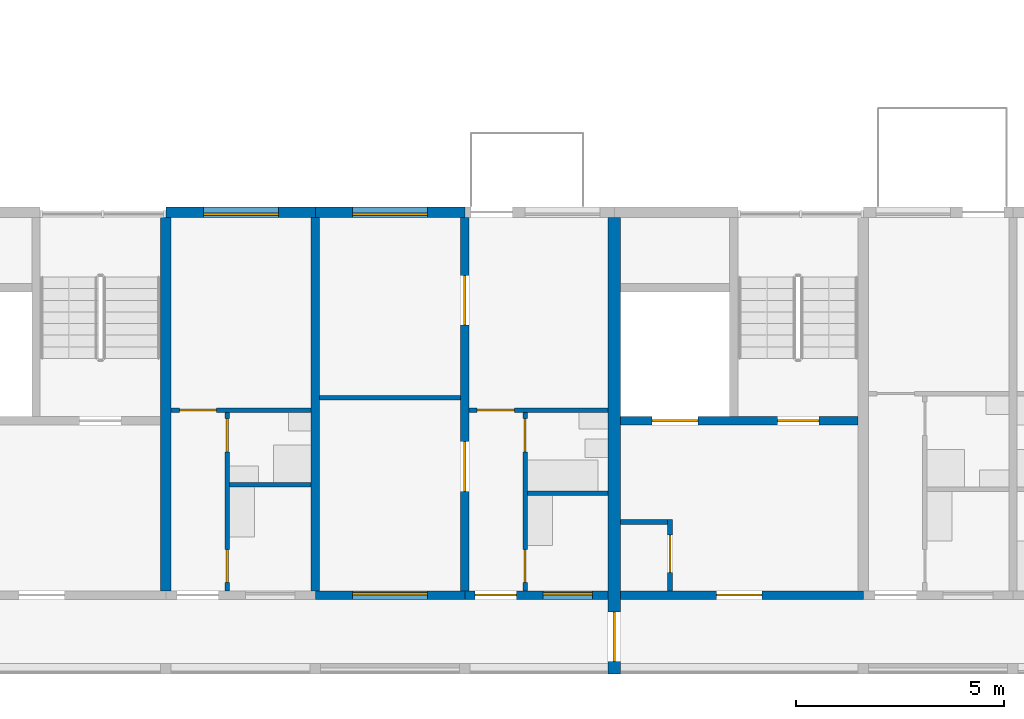
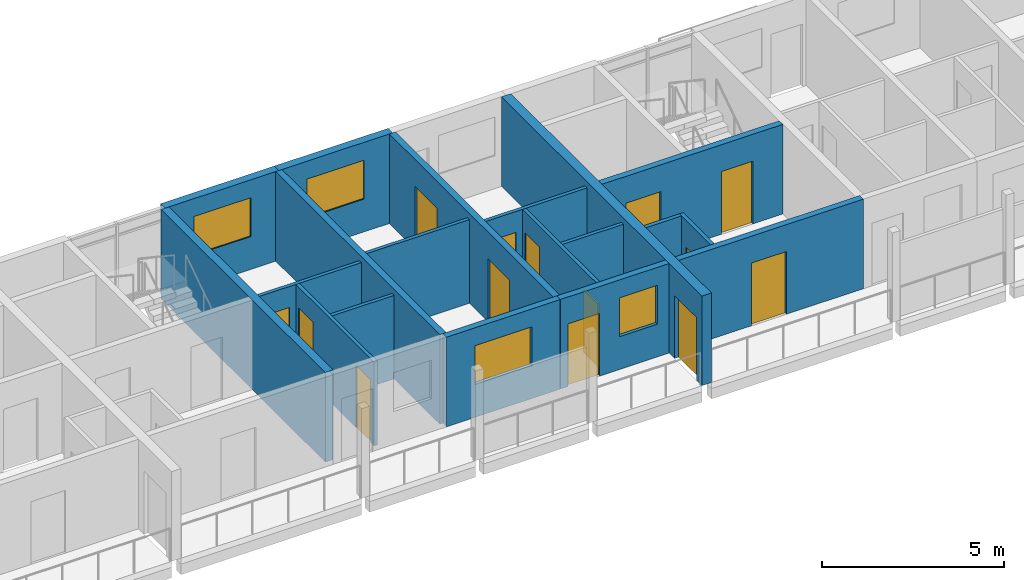
# One storey, part 55 of 87: 19 walls, 14 doors, 4 windows, 18 openings.
"""IFC4 building model written with IfcOpenShell, lengths in metres."""

from ifc_helpers import new_model, si_unit, direction, frame, frame_2d, origin, place, context, subcontext, project, spatial, rectangle, extrude, material, layer, layer_set, type_object, element, fill, save


model = new_model("IFC4")

# Units and contexts
model_context = context("Model", 3, precision=1e-05, world=origin(), true_north=direction((0.0, 1.0)))
body_context = subcontext(model_context, "Body", "Model", "MODEL_VIEW")
ifc_project = project(units=[si_unit("LENGTHUNIT", "METRE"), si_unit("AREAUNIT", "SQUARE_METRE"), si_unit("VOLUMEUNIT", "CUBIC_METRE"), si_unit("PLANEANGLEUNIT", "RADIAN"), si_unit("MASSUNIT", "GRAM", prefix="KILO")], contexts=[model_context])

# Site, building, storey
site_placement = place(None, origin())
site = spatial("IfcSite", under=ifc_project, at=site_placement, CompositionType="ELEMENT")
building_placement = place(site_placement, origin())
building = spatial("IfcBuilding", under=site, at=building_placement, Name="Ridgestep Commons", CompositionType="ELEMENT")
storey_placement = place(building_placement, frame((0.0, 0.0, 27.0)))
storey = spatial("IfcBuildingStorey", under=building, at=storey_placement, Name="L09", CompositionType="ELEMENT", Elevation=27.0)

# Wall
ifc_material_1 = material(Name="Concrete C30/37", Category="concrete")
ifc_layer_1 = layer(ifc_material_1, 0.25)
ifc_layer_set_1 = layer_set([ifc_layer_1], Name="Core cross wall 250")
wall_type_1 = type_object("IfcWallType", Name="Core cross wall 250", PredefinedType="SHEAR", material=ifc_layer_set_1)
wall_1_placement = place(storey_placement, frame((220.0, 13.75, 0.0), z_axis=(0.0, 0.0, 1.0), x_axis=(0.0, 1.0, 0.0)))
element("IfcWall", 1, at=wall_1_placement, inside=storey, type_object=wall_type_1, Name="Cross wall D-09-2200", PredefinedType="SHEAR", context=body_context, shape_type="SweptSolid", body=[
    extrude(rectangle(XDim=9.0, YDim=0.25, at=frame_2d((4.5, 0.0))), origin(), (0.0, 0.0, 1.0), 3.0),
])

# Wall, opening, door
ifc_material_2 = material(Name="Concrete C30/37", Category="concrete")
ifc_layer_2 = layer(ifc_material_2, 0.199951171875)
ifc_layer_set_2 = layer_set([ifc_layer_2], Name="Core south wall 200")
wall_type_2 = type_object("IfcWallType", Name="Core south wall 200", PredefinedType="SHEAR", material=ifc_layer_set_2)
wall_2_placement = place(storey_placement, frame((230.949951171875, 13.64990234375, 0.0), z_axis=(0.0, 0.0, 1.0), x_axis=(1.0, 0.0, 0.0)))
wall_2 = element("IfcWall", 2, at=wall_2_placement, inside=storey, type_object=wall_type_2, Name="Core south wall D6C L09", PredefinedType="SHEAR", context=body_context, shape_type="SweptSolid", body=[
    extrude(rectangle(XDim=5.85009765625, YDim=0.199951171875, at=frame_2d((2.925048828125, 0.0))), origin(), (0.0, 0.0, 1.0), 3.0),
])
opening_1_placement = place(wall_2_placement, frame((2.3125, 0.0, 0.0)))
opening_1 = element("IfcOpeningElement", 3, at=opening_1_placement, cuts=wall_2, Name="Opening D6C/09/1", PredefinedType="OPENING", context=body_context, shape_type="SweptSolid", body=[
    extrude(rectangle(XDim=1.10009765625, YDim=2.10009765625, at=frame_2d((0.550048828125, 1.050048828125))), frame((0.0, 0.10986328125, 0.0), z_axis=(0.0, -1.0, 0.0), x_axis=(1.0, 0.0, 0.0)), (0.0, 0.0, 1.0), 0.219970703125),
])
ifc_material_3 = material(Name="Steel fire door", Category="steel")
door_type_1 = type_object("IfcDoorType", Name="Lobby door 1100 x 2100 FD60", OperationType="NOTDEFINED", PredefinedType="DOOR", material=ifc_material_3)
door_1_placement = place(opening_1_placement, origin())
door_1 = element("IfcDoor", 4, at=door_1_placement, inside=storey, type_object=door_type_1, Name="Lobby door D6C/09/1", OperationType="SINGLE_SWING_LEFT", OverallHeight=2.10009765625, OverallWidth=1.10009765625, PredefinedType="DOOR", context=body_context, shape_type="SweptSolid", body=[
    extrude(rectangle(XDim=1.10009765625, YDim=2.10009765625, at=frame_2d((0.550048828125, 1.050048828125))), frame((0.0, 0.02490234375, 0.0), z_axis=(0.0, -1.0, 0.0), x_axis=(1.0, 0.0, 0.0)), (0.0, 0.0, 1.0), 0.050048828125),
])
fill(opening_1, door_1)

ifc_material_4 = material(Name="Concrete C30/37", Category="concrete")
ifc_layer_3 = layer(ifc_material_4, 0.1201171875)
ifc_layer_set_3 = layer_set([ifc_layer_3], Name="Core wall 120")
wall_type_3 = type_object("IfcWallType", Name="Core wall 120", PredefinedType="SHEAR", material=ifc_layer_set_3)
wall_3_placement = place(storey_placement, frame((232.139892578125, 13.75, 0.0), z_axis=(0.0, 0.0, 1.0), x_axis=(0.0, 1.0, 0.0)))
wall_3 = element("IfcWall", 5, at=wall_3_placement, inside=storey, type_object=wall_type_3, Name="Core riser w wall D6C L09", PredefinedType="SHEAR", context=body_context, shape_type="SweptSolid", body=[
    extrude(rectangle(XDim=1.719970703125, YDim=0.1201171875, at=frame_2d((0.85986328125, 0.0))), origin(), (0.0, 0.0, 1.0), 3.0),
])
opening_2_placement = place(wall_3_placement, frame((0.449951171875, 0.0, 0.0)))
opening_2 = element("IfcOpeningElement", 6, at=opening_2_placement, cuts=wall_3, Name="Opening D6C/09/4", PredefinedType="OPENING", context=body_context, shape_type="SweptSolid", body=[
    extrude(rectangle(XDim=0.89990234375, YDim=2.10009765625, at=frame_2d((0.449951171875, 1.050048828125))), frame((0.0, 0.070068359375, 0.0), z_axis=(0.0, -1.0, 0.0), x_axis=(1.0, 0.0, 0.0)), (0.0, 0.0, 1.0), 0.14013671875),
])
ifc_material_5 = material(Name="Steel fire door", Category="steel")
door_type_2 = type_object("IfcDoorType", Name="Riser door 900 x 2100 FD60", OperationType="NOTDEFINED", PredefinedType="DOOR", material=ifc_material_5)
door_2_placement = place(opening_2_placement, origin())
door_2 = element("IfcDoor", 7, at=door_2_placement, inside=storey, type_object=door_type_2, Name="Riser door D6C/09/4", OperationType="SINGLE_SWING_RIGHT", OverallHeight=2.10009765625, OverallWidth=0.89990234375, PredefinedType="DOOR", context=body_context, shape_type="SweptSolid", body=[
    extrude(rectangle(XDim=0.89990234375, YDim=2.10009765625, at=frame_2d((0.449951171875, 1.050048828125))), frame((0.0, 0.02490234375, 0.0), z_axis=(0.0, -1.0, 0.0), x_axis=(1.0, 0.0, 0.0)), (0.0, 0.0, 1.0), 0.050048828125),
])
fill(opening_2, door_2)

# Wall
wall_4_placement = place(storey_placement, frame((230.949951171875, 15.409912109375, 0.0), z_axis=(0.0, 0.0, 1.0), x_axis=(1.0, 0.0, 0.0)))
element("IfcWall", 8, at=wall_4_placement, inside=storey, type_object=wall_type_3, Name="Core riser n wall D6C L09", PredefinedType="SHEAR", context=body_context, shape_type="SweptSolid", body=[
    extrude(rectangle(XDim=1.130126953125, YDim=0.1201171875, at=frame_2d((0.56494140625, 0.0))), origin(), (0.0, 0.0, 1.0), 3.0),
])

# Wall, openings, doors
ifc_material_6 = material(Name="Concrete C30/37", Category="concrete")
ifc_layer_4 = layer(ifc_material_6, 0.199951171875)
ifc_layer_set_4 = layer_set([ifc_layer_4], Name="Core wall 200")
wall_type_4 = type_object("IfcWallType", Name="Core wall 200", PredefinedType="SHEAR", material=ifc_layer_set_4)
wall_5_placement = place(storey_placement, frame((230.949951171875, 17.85009765625, 0.0), z_axis=(0.0, 0.0, 1.0), x_axis=(1.0, 0.0, 0.0)))
wall_5 = element("IfcWall", 9, at=wall_5_placement, inside=storey, type_object=wall_type_4, Name="Core lobby wall D6C L09", PredefinedType="SHEAR", context=body_context, shape_type="SweptSolid", body=[
    extrude(rectangle(XDim=5.72509765625, YDim=0.199951171875, at=frame_2d((2.862548828125, 0.0))), origin(), (0.0, 0.0, 1.0), 3.0),
])
opening_3_placement = place(wall_5_placement, frame((3.77490234375, 0.0, 0.0)))
opening_3 = element("IfcOpeningElement", 10, at=opening_3_placement, cuts=wall_5, Name="Opening D6C/09/2", PredefinedType="OPENING", context=body_context, shape_type="SweptSolid", body=[
    extrude(rectangle(XDim=1.0, YDim=2.10009765625, at=frame_2d((0.5, 1.050048828125))), frame((0.0, 0.10986328125, 0.0), z_axis=(0.0, -1.0, 0.0), x_axis=(1.0, 0.0, 0.0)), (0.0, 0.0, 1.0), 0.219970703125),
])
opening_4_placement = place(wall_5_placement, frame((0.762451171875, 0.0, 0.0)))
opening_4 = element("IfcOpeningElement", 11, at=opening_4_placement, cuts=wall_5, Name="Opening D6C/09/3", PredefinedType="OPENING", context=body_context, shape_type="SweptSolid", body=[
    extrude(rectangle(XDim=1.10009765625, YDim=2.10009765625, at=frame_2d((0.550048828125, 1.050048828125))), frame((0.0, 0.10986328125, 0.0), z_axis=(0.0, -1.0, 0.0), x_axis=(1.0, 0.0, 0.0)), (0.0, 0.0, 1.0), 0.219970703125),
])
ifc_material_7 = material(Name="Stainless steel", Category="steel")
door_type_3 = type_object("IfcDoorType", Name="Lift landing door 1100 x 2100 FD60", OperationType="DOUBLE_DOOR_SLIDING", PredefinedType="DOOR", material=ifc_material_7)
door_3_placement = place(opening_4_placement, origin())
door_3 = element("IfcDoor", 12, at=door_3_placement, inside=storey, type_object=door_type_3, Name="Landing door LD D6C L09", OperationType="DOUBLE_DOOR_SLIDING", OverallHeight=2.10009765625, OverallWidth=1.10009765625, PredefinedType="DOOR", context=body_context, shape_type="SweptSolid", body=[
    extrude(rectangle(XDim=1.10009765625, YDim=2.10009765625, at=frame_2d((0.550048828125, 1.050048828125))), frame((0.0, 0.02490234375, 0.0), z_axis=(0.0, -1.0, 0.0), x_axis=(1.0, 0.0, 0.0)), (0.0, 0.0, 1.0), 0.050048828125),
])
fill(opening_4, door_3)
ifc_material_8 = material(Name="Steel fire door", Category="steel")
door_type_4 = type_object("IfcDoorType", Name="Stair door 1000 x 2100 FD60", OperationType="NOTDEFINED", PredefinedType="DOOR", material=ifc_material_8)
door_4_placement = place(opening_3_placement, origin())
door_4 = element("IfcDoor", 13, at=door_4_placement, inside=storey, type_object=door_type_4, Name="Stair door D6C/09/2", OperationType="SINGLE_SWING_RIGHT", OverallHeight=2.10009765625, OverallWidth=1.0, PredefinedType="DOOR", context=body_context, shape_type="SweptSolid", body=[
    extrude(rectangle(XDim=1.0, YDim=2.10009765625, at=frame_2d((0.5, 1.050048828125))), frame((0.0, 0.02490234375, 0.0), z_axis=(0.0, -1.0, 0.0), x_axis=(1.0, 0.0, 0.0)), (0.0, 0.0, 1.0), 0.050048828125),
])
fill(opening_3, door_4)

# Wall
ifc_material_9 = material(Name="Precast concrete C40/50", Category="concrete")
ifc_layer_5 = layer(ifc_material_9, 0.199951171875)
ifc_layer_set_5 = layer_set([ifc_layer_5], Name="Cross wall 200")
wall_type_5 = type_object("IfcWallType", Name="Cross wall 200", PredefinedType="SHEAR", material=ifc_layer_set_5)
wall_6_placement = place(storey_placement, frame((223.60009765625, 13.75, 0.0), z_axis=(0.0, 0.0, 1.0), x_axis=(0.0, 1.0, 0.0)))
element("IfcWall", 14, at=wall_6_placement, inside=storey, type_object=wall_type_5, Name="Cross wall D-09-2236", PredefinedType="SHEAR", context=body_context, shape_type="SweptSolid", body=[
    extrude(rectangle(XDim=9.0, YDim=0.199951171875, at=frame_2d((4.5, 0.0))), origin(), (0.0, 0.0, 1.0), 3.0),
])

# Wall, openings, doors
wall_7_placement = place(storey_placement, frame((227.199951171875, 13.75, 0.0), z_axis=(0.0, 0.0, 1.0), x_axis=(0.0, 1.0, 0.0)))
wall_7 = element("IfcWall", 15, at=wall_7_placement, inside=storey, type_object=wall_type_5, Name="Cross wall D-09-2272", PredefinedType="SHEAR", context=body_context, shape_type="SweptSolid", body=[
    extrude(rectangle(XDim=9.0, YDim=0.199951171875, at=frame_2d((4.5, 0.0))), origin(), (0.0, 0.0, 1.0), 3.0),
])
opening_5_placement = place(wall_7_placement, frame((2.39990234375, 0.0, 0.0)))
opening_5 = element("IfcOpeningElement", 16, at=opening_5_placement, cuts=wall_7, Name="Opening D5-09a/5", PredefinedType="OPENING", context=body_context, shape_type="SweptSolid", body=[
    extrude(rectangle(XDim=1.199951171875, YDim=2.10009765625, at=frame_2d((0.60009765625, 1.050048828125))), frame((0.0, 0.10986328125, 0.0), z_axis=(0.0, -1.0, 0.0), x_axis=(1.0, 0.0, 0.0)), (0.0, 0.0, 1.0), 0.219970703125),
])
opening_6_placement = place(wall_7_placement, frame((6.39990234375, 0.0, 0.0)))
opening_6 = element("IfcOpeningElement", 17, at=opening_6_placement, cuts=wall_7, Name="Opening D5-09a/6", PredefinedType="OPENING", context=body_context, shape_type="SweptSolid", body=[
    extrude(rectangle(XDim=1.199951171875, YDim=2.10009765625, at=frame_2d((0.60009765625, 1.050048828125))), frame((0.0, 0.10986328125, 0.0), z_axis=(0.0, -1.0, 0.0), x_axis=(1.0, 0.0, 0.0)), (0.0, 0.0, 1.0), 0.219970703125),
])
ifc_material_10 = material(Name="Timber door leaf", Category="wood")
door_type_5 = type_object("IfcDoorType", Name="Double door 1200 x 2100", OperationType="DOUBLE_DOOR_SINGLE_SWING", PredefinedType="DOOR", material=ifc_material_10)
door_5_placement = place(opening_5_placement, origin())
door_5 = element("IfcDoor", 18, at=door_5_placement, inside=storey, type_object=door_type_5, Name="Double door D5-09a/5", OperationType="DOUBLE_DOOR_SINGLE_SWING", OverallHeight=2.10009765625, OverallWidth=1.199951171875, PredefinedType="DOOR", context=body_context, shape_type="SweptSolid", body=[
    extrude(rectangle(XDim=1.199951171875, YDim=2.10009765625, at=frame_2d((0.60009765625, 1.050048828125))), frame((0.0, 0.02490234375, 0.0), z_axis=(0.0, -1.0, 0.0), x_axis=(1.0, 0.0, 0.0)), (0.0, 0.0, 1.0), 0.050048828125),
])
fill(opening_5, door_5)
door_6_placement = place(opening_6_placement, origin())
door_6 = element("IfcDoor", 19, at=door_6_placement, inside=storey, type_object=door_type_5, Name="Double door D5-09a/6", OperationType="DOUBLE_DOOR_SINGLE_SWING", OverallHeight=2.10009765625, OverallWidth=1.199951171875, PredefinedType="DOOR", context=body_context, shape_type="SweptSolid", body=[
    extrude(rectangle(XDim=1.199951171875, YDim=2.10009765625, at=frame_2d((0.60009765625, 1.050048828125))), frame((0.0, 0.02490234375, 0.0), z_axis=(0.0, -1.0, 0.0), x_axis=(1.0, 0.0, 0.0)), (0.0, 0.0, 1.0), 0.050048828125),
])
fill(opening_6, door_6)

# Wall, opening, door
ifc_material_11 = material(Name="Precast concrete C40/50", Category="concrete")
ifc_layer_6 = layer(ifc_material_11, 0.300048828125)
ifc_layer_set_6 = layer_set([ifc_layer_6], Name="Division wall 300")
wall_type_6 = type_object("IfcWallType", Name="Division wall 300", PredefinedType="SHEAR", material=ifc_layer_set_6)
wall_8_placement = place(storey_placement, frame((230.800048828125, 11.75, 0.0), z_axis=(0.0, 0.0, 1.0), x_axis=(0.0, 1.0, 0.0)))
wall_8 = element("IfcWall", 20, at=wall_8_placement, inside=storey, type_object=wall_type_6, Name="Cross wall D-09-2308", PredefinedType="SHEAR", context=body_context, shape_type="SweptSolid", body=[
    extrude(rectangle(XDim=11.0, YDim=0.300048828125, at=frame_2d((5.5, 0.0))), origin(), (0.0, 0.0, 1.0), 3.0),
])
opening_7_placement = place(wall_8_placement, frame((0.300048828125, 0.0, 0.0)))
opening_7 = element("IfcOpeningElement", 21, at=opening_7_placement, cuts=wall_8, Name="Opening D/09/G2308", PredefinedType="OPENING", context=body_context, shape_type="SweptSolid", body=[
    extrude(rectangle(XDim=1.199951171875, YDim=2.10009765625, at=frame_2d((0.60009765625, 1.050048828125))), frame((0.0, 0.159912109375, 0.0), z_axis=(0.0, -1.0, 0.0), x_axis=(1.0, 0.0, 0.0)), (0.0, 0.0, 1.0), 0.320068359375),
])
ifc_material_12 = material(Name="Steel fire door", Category="steel")
door_type_6 = type_object("IfcDoorType", Name="Division fire door 1200 x 2100 EI 240", OperationType="DOUBLE_DOOR_SINGLE_SWING", PredefinedType="DOOR", material=ifc_material_12)
door_7_placement = place(opening_7_placement, origin())
door_7 = element("IfcDoor", 22, at=door_7_placement, inside=storey, type_object=door_type_6, Name="Division fire door D/09/G2308", OperationType="DOUBLE_DOOR_SINGLE_SWING", OverallHeight=2.10009765625, OverallWidth=1.199951171875, PredefinedType="DOOR", context=body_context, shape_type="SweptSolid", body=[
    extrude(rectangle(XDim=1.199951171875, YDim=2.10009765625, at=frame_2d((0.60009765625, 1.050048828125))), frame((0.0, 0.02490234375, 0.0), z_axis=(0.0, -1.0, 0.0), x_axis=(1.0, 0.0, 0.0)), (0.0, 0.0, 1.0), 0.050048828125),
])
fill(opening_7, door_7)

# Wall, opening, window
ifc_material_13 = material(Name="Precast concrete C40/50", Category="concrete")
ifc_layer_7 = layer(ifc_material_13, 0.25)
ifc_layer_set_7 = layer_set([ifc_layer_7], Name="North facade panel 250")
wall_type_7 = type_object("IfcWallType", Name="North facade panel 250", PredefinedType="SOLIDWALL", material=ifc_layer_set_7)
wall_9_placement = place(storey_placement, frame((220.0, 22.875, 0.0), z_axis=(0.0, 0.0, 1.0), x_axis=(1.0, 0.0, 0.0)))
wall_9 = element("IfcWall", 23, at=wall_9_placement, inside=storey, type_object=wall_type_7, Name="North panel D5T3 L09", PredefinedType="SOLIDWALL", context=body_context, shape_type="SweptSolid", body=[
    extrude(rectangle(XDim=3.60009765625, YDim=0.25, at=frame_2d((1.800048828125, 0.0))), origin(), (0.0, 0.0, 1.0), 3.0),
])
opening_8_placement = place(wall_9_placement, frame((0.91259765625, 0.0, 1.10009765625)))
opening_8 = element("IfcOpeningElement", 24, at=opening_8_placement, cuts=wall_9, Name="Opening W18", PredefinedType="OPENING", context=body_context, shape_type="SweptSolid", body=[
    extrude(rectangle(XDim=1.800048828125, YDim=1.300048828125, at=frame_2d((0.89990234375, 0.64990234375))), frame((0.0, 0.135009765625, 0.0), z_axis=(0.0, -1.0, 0.0), x_axis=(1.0, 0.0, 0.0)), (0.0, 0.0, 1.0), 0.27001953125),
])
ifc_material_14 = material(Name="Aluminium 6063-T6 and glass", Category="aluminium")
window_type_1 = type_object("IfcWindowType", Name="Flat window 1800 x 1300", PartitioningType="DOUBLE_PANEL_VERTICAL", PredefinedType="WINDOW", material=ifc_material_14)
window_1_placement = place(opening_8_placement, origin())
window_1 = element("IfcWindow", 25, at=window_1_placement, inside=storey, type_object=window_type_1, Name="Window D5-09b 2", OverallHeight=1.300048828125, OverallWidth=1.800048828125, PartitioningType="SINGLE_PANEL", PredefinedType="WINDOW", context=body_context, shape_type="SweptSolid", body=[
    extrude(rectangle(XDim=1.800048828125, YDim=1.300048828125, at=frame_2d((0.89990234375, 0.64990234375))), frame((0.0, -0.02490234375, 0.0), z_axis=(0.0, -1.0, 0.0), x_axis=(1.0, 0.0, 0.0)), (0.0, 0.0, 1.0), 0.06005859375),
])
fill(opening_8, window_1)

wall_10_placement = place(storey_placement, frame((223.60009765625, 22.875, 0.0), z_axis=(0.0, 0.0, 1.0), x_axis=(1.0, 0.0, 0.0)))
wall_10 = element("IfcWall", 26, at=wall_10_placement, inside=storey, type_object=wall_type_7, Name="North panel D5T2 L09", PredefinedType="SOLIDWALL", context=body_context, shape_type="SweptSolid", body=[
    extrude(rectangle(XDim=3.599853515625, YDim=0.25, at=frame_2d((1.7998046875, 0.0))), origin(), (0.0, 0.0, 1.0), 3.0),
])
opening_9_placement = place(wall_10_placement, frame((0.89990234375, 0.0, 1.10009765625)))
opening_9 = element("IfcOpeningElement", 27, at=opening_9_placement, cuts=wall_10, Name="Opening W18", PredefinedType="OPENING", context=body_context, shape_type="SweptSolid", body=[
    extrude(rectangle(XDim=1.800048828125, YDim=1.300048828125, at=frame_2d((0.89990234375, 0.64990234375))), frame((0.0, 0.135009765625, 0.0), z_axis=(0.0, -1.0, 0.0), x_axis=(1.0, 0.0, 0.0)), (0.0, 0.0, 1.0), 0.27001953125),
])
window_2_placement = place(opening_9_placement, origin())
window_2 = element("IfcWindow", 28, at=window_2_placement, inside=storey, type_object=window_type_1, Name="Window D5-09a 2", OverallHeight=1.300048828125, OverallWidth=1.800048828125, PartitioningType="SINGLE_PANEL", PredefinedType="WINDOW", context=body_context, shape_type="SweptSolid", body=[
    extrude(rectangle(XDim=1.800048828125, YDim=1.300048828125, at=frame_2d((0.89990234375, 0.64990234375))), frame((0.0, -0.02490234375, 0.0), z_axis=(0.0, -1.0, 0.0), x_axis=(1.0, 0.0, 0.0)), (0.0, 0.0, 1.0), 0.06005859375),
])
fill(opening_9, window_2)

# Wall, openings, doors
ifc_material_15 = material(Name="Common brick 110 mm", Category="masonry")
ifc_layer_8 = layer(ifc_material_15, 0.110107421875)
ifc_layer_set_8 = layer_set([ifc_layer_8], Name="Partition 110")
wall_type_8 = type_object("IfcWallType", Name="Partition 110", PredefinedType="PARTITIONING", material=ifc_layer_set_8)
wall_11_placement = place(storey_placement, frame((228.655029296875, 13.75, 0.0), z_axis=(0.0, 0.0, 1.0), x_axis=(0.0, 1.0, 0.0)))
wall_11 = element("IfcWall", 29, at=wall_11_placement, inside=storey, type_object=wall_type_8, Name="Partition D5-09a", PredefinedType="PARTITIONING", context=body_context, shape_type="SweptSolid", body=[
    extrude(rectangle(XDim=4.300048828125, YDim=0.110107421875, at=frame_2d((2.14990234375, 0.0))), origin(), (0.0, 0.0, 1.0), 2.800048828125),
])
opening_10_placement = place(wall_11_placement, frame((0.199951171875, 0.0, 0.0)))
opening_10 = element("IfcOpeningElement", 30, at=opening_10_placement, cuts=wall_11, Name="Opening D5-09a/2", PredefinedType="OPENING", context=body_context, shape_type="SweptSolid", body=[
    extrude(rectangle(XDim=0.800048828125, YDim=2.10009765625, at=frame_2d((0.39990234375, 1.050048828125))), frame((0.0, 0.06494140625, 0.0), z_axis=(0.0, -1.0, 0.0), x_axis=(1.0, 0.0, 0.0)), (0.0, 0.0, 1.0), 0.130126953125),
])
opening_11_placement = place(wall_11_placement, frame((3.35009765625, 0.0, 0.0)))
opening_11 = element("IfcOpeningElement", 31, at=opening_11_placement, cuts=wall_11, Name="Opening D5-09a/3", PredefinedType="OPENING", context=body_context, shape_type="SweptSolid", body=[
    extrude(rectangle(XDim=0.800048828125, YDim=2.10009765625, at=frame_2d((0.39990234375, 1.050048828125))), frame((0.0, 0.06494140625, 0.0), z_axis=(0.0, -1.0, 0.0), x_axis=(1.0, 0.0, 0.0)), (0.0, 0.0, 1.0), 0.130126953125),
])
ifc_material_16 = material(Name="Timber door leaf", Category="wood")
door_type_7 = type_object("IfcDoorType", Name="Internal door 800 x 2100", OperationType="NOTDEFINED", PredefinedType="DOOR", material=ifc_material_16)
door_8_placement = place(opening_10_placement, origin())
door_8 = element("IfcDoor", 32, at=door_8_placement, inside=storey, type_object=door_type_7, Name="Internal door D5-09a/2", OperationType="SINGLE_SWING_RIGHT", OverallHeight=2.10009765625, OverallWidth=0.800048828125, PredefinedType="DOOR", context=body_context, shape_type="SweptSolid", body=[
    extrude(rectangle(XDim=0.800048828125, YDim=2.10009765625, at=frame_2d((0.39990234375, 1.050048828125))), frame((0.0, 0.02490234375, 0.0), z_axis=(0.0, -1.0, 0.0), x_axis=(1.0, 0.0, 0.0)), (0.0, 0.0, 1.0), 0.050048828125),
])
fill(opening_10, door_8)
door_9_placement = place(opening_11_placement, origin())
door_9 = element("IfcDoor", 33, at=door_9_placement, inside=storey, type_object=door_type_7, Name="Internal door D5-09a/3", OperationType="SINGLE_SWING_LEFT", OverallHeight=2.10009765625, OverallWidth=0.800048828125, PredefinedType="DOOR", context=body_context, shape_type="SweptSolid", body=[
    extrude(rectangle(XDim=0.800048828125, YDim=2.10009765625, at=frame_2d((0.39990234375, 1.050048828125))), frame((0.0, 0.02490234375, 0.0), z_axis=(0.0, -1.0, 0.0), x_axis=(1.0, 0.0, 0.0)), (0.0, 0.0, 1.0), 0.050048828125),
])
fill(opening_11, door_9)

# Wall
wall_12_placement = place(storey_placement, frame((228.7099609375, 16.10498046875, 0.0), z_axis=(0.0, 0.0, 1.0), x_axis=(1.0, 0.0, 0.0)))
element("IfcWall", 34, at=wall_12_placement, inside=storey, type_object=wall_type_8, Name="Partition D5-09a", PredefinedType="PARTITIONING", context=body_context, shape_type="SweptSolid", body=[
    extrude(rectangle(XDim=1.93994140625, YDim=0.110107421875, at=frame_2d((0.969970703125, 0.0))), origin(), (0.0, 0.0, 1.0), 2.800048828125),
])

# Wall, opening, door
wall_13_placement = place(storey_placement, frame((227.300048828125, 18.10498046875, 0.0), z_axis=(0.0, 0.0, 1.0), x_axis=(1.0, 0.0, 0.0)))
wall_13 = element("IfcWall", 35, at=wall_13_placement, inside=storey, type_object=wall_type_8, Name="Partition D5-09a", PredefinedType="PARTITIONING", context=body_context, shape_type="SweptSolid", body=[
    extrude(rectangle(XDim=3.349853515625, YDim=0.110107421875, at=frame_2d((1.6748046875, 0.0))), origin(), (0.0, 0.0, 1.0), 2.800048828125),
])
opening_12_placement = place(wall_13_placement, frame((0.199951171875, 0.0, 0.0)))
opening_12 = element("IfcOpeningElement", 36, at=opening_12_placement, cuts=wall_13, Name="Opening D5-09a/4", PredefinedType="OPENING", context=body_context, shape_type="SweptSolid", body=[
    extrude(rectangle(XDim=0.89990234375, YDim=2.10009765625, at=frame_2d((0.449951171875, 1.050048828125))), frame((0.0, 0.06494140625, 0.0), z_axis=(0.0, -1.0, 0.0), x_axis=(1.0, 0.0, 0.0)), (0.0, 0.0, 1.0), 0.130126953125),
])
ifc_material_17 = material(Name="Timber door leaf", Category="wood")
door_type_8 = type_object("IfcDoorType", Name="Internal door 900 x 2100", OperationType="NOTDEFINED", PredefinedType="DOOR", material=ifc_material_17)
door_10_placement = place(opening_12_placement, origin())
door_10 = element("IfcDoor", 37, at=door_10_placement, inside=storey, type_object=door_type_8, Name="Internal door D5-09a/4", OperationType="SINGLE_SWING_LEFT", OverallHeight=2.10009765625, OverallWidth=0.89990234375, PredefinedType="DOOR", context=body_context, shape_type="SweptSolid", body=[
    extrude(rectangle(XDim=0.89990234375, YDim=2.10009765625, at=frame_2d((0.449951171875, 1.050048828125))), frame((0.0, 0.02490234375, 0.0), z_axis=(0.0, -1.0, 0.0), x_axis=(1.0, 0.0, 0.0)), (0.0, 0.0, 1.0), 0.050048828125),
])
fill(opening_12, door_10)

# Wall
wall_14_placement = place(storey_placement, frame((223.699951171875, 18.405029296875, 0.0), z_axis=(0.0, 0.0, 1.0), x_axis=(1.0, 0.0, 0.0)))
element("IfcWall", 38, at=wall_14_placement, inside=storey, type_object=wall_type_8, Name="Partition D5-09a", PredefinedType="PARTITIONING", context=body_context, shape_type="SweptSolid", body=[
    extrude(rectangle(XDim=3.400146484375, YDim=0.110107421875, at=frame_2d((1.7001953125, 0.0))), origin(), (0.0, 0.0, 1.0), 2.800048828125),
])

# Wall, openings, doors
wall_15_placement = place(storey_placement, frame((221.47998046875, 13.75, 0.0), z_axis=(0.0, 0.0, 1.0), x_axis=(0.0, 1.0, 0.0)))
wall_15 = element("IfcWall", 39, at=wall_15_placement, inside=storey, type_object=wall_type_8, Name="Partition D5-09b", PredefinedType="PARTITIONING", context=body_context, shape_type="SweptSolid", body=[
    extrude(rectangle(XDim=4.300048828125, YDim=0.110107421875, at=frame_2d((2.14990234375, 0.0))), origin(), (0.0, 0.0, 1.0), 2.800048828125),
])
opening_13_placement = place(wall_15_placement, frame((0.199951171875, 0.0, 0.0)))
opening_13 = element("IfcOpeningElement", 40, at=opening_13_placement, cuts=wall_15, Name="Opening D5-09b/2", PredefinedType="OPENING", context=body_context, shape_type="SweptSolid", body=[
    extrude(rectangle(XDim=0.800048828125, YDim=2.10009765625, at=frame_2d((0.39990234375, 1.050048828125))), frame((0.0, 0.06494140625, 0.0), z_axis=(0.0, -1.0, 0.0), x_axis=(1.0, 0.0, 0.0)), (0.0, 0.0, 1.0), 0.130126953125),
])
opening_14_placement = place(wall_15_placement, frame((3.35009765625, 0.0, 0.0)))
opening_14 = element("IfcOpeningElement", 41, at=opening_14_placement, cuts=wall_15, Name="Opening D5-09b/3", PredefinedType="OPENING", context=body_context, shape_type="SweptSolid", body=[
    extrude(rectangle(XDim=0.800048828125, YDim=2.10009765625, at=frame_2d((0.39990234375, 1.050048828125))), frame((0.0, 0.06494140625, 0.0), z_axis=(0.0, -1.0, 0.0), x_axis=(1.0, 0.0, 0.0)), (0.0, 0.0, 1.0), 0.130126953125),
])
door_11_placement = place(opening_13_placement, origin())
door_11 = element("IfcDoor", 42, at=door_11_placement, inside=storey, type_object=door_type_7, Name="Internal door D5-09b/2", OperationType="SINGLE_SWING_RIGHT", OverallHeight=2.10009765625, OverallWidth=0.800048828125, PredefinedType="DOOR", context=body_context, shape_type="SweptSolid", body=[
    extrude(rectangle(XDim=0.800048828125, YDim=2.10009765625, at=frame_2d((0.39990234375, 1.050048828125))), frame((0.0, 0.02490234375, 0.0), z_axis=(0.0, -1.0, 0.0), x_axis=(1.0, 0.0, 0.0)), (0.0, 0.0, 1.0), 0.050048828125),
])
fill(opening_13, door_11)
door_12_placement = place(opening_14_placement, origin())
door_12 = element("IfcDoor", 43, at=door_12_placement, inside=storey, type_object=door_type_7, Name="Internal door D5-09b/3", OperationType="SINGLE_SWING_LEFT", OverallHeight=2.10009765625, OverallWidth=0.800048828125, PredefinedType="DOOR", context=body_context, shape_type="SweptSolid", body=[
    extrude(rectangle(XDim=0.800048828125, YDim=2.10009765625, at=frame_2d((0.39990234375, 1.050048828125))), frame((0.0, 0.02490234375, 0.0), z_axis=(0.0, -1.0, 0.0), x_axis=(1.0, 0.0, 0.0)), (0.0, 0.0, 1.0), 0.050048828125),
])
fill(opening_14, door_12)

# Wall
wall_16_placement = place(storey_placement, frame((221.534912109375, 16.304931640625, 0.0), z_axis=(0.0, 0.0, 1.0), x_axis=(1.0, 0.0, 0.0)))
element("IfcWall", 44, at=wall_16_placement, inside=storey, type_object=wall_type_8, Name="Partition D5-09b", PredefinedType="PARTITIONING", context=body_context, shape_type="SweptSolid", body=[
    extrude(rectangle(XDim=1.965087890625, YDim=0.110107421875, at=frame_2d((0.982421875, 0.0))), origin(), (0.0, 0.0, 1.0), 2.800048828125),
])

# Wall, opening, door
wall_17_placement = place(storey_placement, frame((220.125, 18.10498046875, 0.0), z_axis=(0.0, 0.0, 1.0), x_axis=(1.0, 0.0, 0.0)))
wall_17 = element("IfcWall", 45, at=wall_17_placement, inside=storey, type_object=wall_type_8, Name="Partition D5-09b", PredefinedType="PARTITIONING", context=body_context, shape_type="SweptSolid", body=[
    extrude(rectangle(XDim=3.375, YDim=0.110107421875, at=frame_2d((1.6875, 0.0))), origin(), (0.0, 0.0, 1.0), 2.800048828125),
])
opening_15_placement = place(wall_17_placement, frame((0.199951171875, 0.0, 0.0)))
opening_15 = element("IfcOpeningElement", 46, at=opening_15_placement, cuts=wall_17, Name="Opening D5-09b/4", PredefinedType="OPENING", context=body_context, shape_type="SweptSolid", body=[
    extrude(rectangle(XDim=0.89990234375, YDim=2.10009765625, at=frame_2d((0.449951171875, 1.050048828125))), frame((0.0, 0.06494140625, 0.0), z_axis=(0.0, -1.0, 0.0), x_axis=(1.0, 0.0, 0.0)), (0.0, 0.0, 1.0), 0.130126953125),
])
door_13_placement = place(opening_15_placement, origin())
door_13 = element("IfcDoor", 47, at=door_13_placement, inside=storey, type_object=door_type_8, Name="Internal door D5-09b/4", OperationType="SINGLE_SWING_LEFT", OverallHeight=2.10009765625, OverallWidth=0.89990234375, PredefinedType="DOOR", context=body_context, shape_type="SweptSolid", body=[
    extrude(rectangle(XDim=0.89990234375, YDim=2.10009765625, at=frame_2d((0.449951171875, 1.050048828125))), frame((0.0, 0.02490234375, 0.0), z_axis=(0.0, -1.0, 0.0), x_axis=(1.0, 0.0, 0.0)), (0.0, 0.0, 1.0), 0.050048828125),
])
fill(opening_15, door_13)

# Wall, opening, window
ifc_material_18 = material(Name="Precast concrete C40/50", Category="concrete")
ifc_layer_9 = layer(ifc_material_18, 0.199951171875)
ifc_layer_set_9 = layer_set([ifc_layer_9], Name="South facade panel 200")
wall_type_9 = type_object("IfcWallType", Name="South facade panel 200", PredefinedType="SOLIDWALL", material=ifc_layer_set_9)
wall_18_placement = place(storey_placement, frame((223.60009765625, 13.64990234375, 0.0), z_axis=(0.0, 0.0, 1.0), x_axis=(1.0, 0.0, 0.0)))
wall_18 = element("IfcWall", 48, at=wall_18_placement, inside=storey, type_object=wall_type_9, Name="South panel D5T2 L09", PredefinedType="SOLIDWALL", context=body_context, shape_type="SweptSolid", body=[
    extrude(rectangle(XDim=3.599853515625, YDim=0.199951171875, at=frame_2d((1.7998046875, 0.0))), origin(), (0.0, 0.0, 1.0), 3.0),
])
opening_16_placement = place(wall_18_placement, frame((0.89990234375, 0.0, 1.10009765625)))
opening_16 = element("IfcOpeningElement", 49, at=opening_16_placement, cuts=wall_18, Name="Opening W18", PredefinedType="OPENING", context=body_context, shape_type="SweptSolid", body=[
    extrude(rectangle(XDim=1.800048828125, YDim=1.300048828125, at=frame_2d((0.89990234375, 0.64990234375))), frame((0.0, 0.10986328125, 0.0), z_axis=(0.0, -1.0, 0.0), x_axis=(1.0, 0.0, 0.0)), (0.0, 0.0, 1.0), 0.219970703125),
])
window_3_placement = place(opening_16_placement, origin())
window_3 = element("IfcWindow", 50, at=window_3_placement, inside=storey, type_object=window_type_1, Name="Window D5-09a 1", OverallHeight=1.300048828125, OverallWidth=1.800048828125, PartitioningType="SINGLE_PANEL", PredefinedType="WINDOW", context=body_context, shape_type="SweptSolid", body=[
    extrude(rectangle(XDim=1.800048828125, YDim=1.300048828125, at=frame_2d((0.89990234375, 0.64990234375))), frame((0.0, 0.06005859375, 0.0), z_axis=(0.0, -1.0, 0.0), x_axis=(1.0, 0.0, 0.0)), (0.0, 0.0, 1.0), 0.06005859375),
])
fill(opening_16, window_3)

# Wall, openings, door, window
wall_19_placement = place(storey_placement, frame((227.199951171875, 13.64990234375, 0.0), z_axis=(0.0, 0.0, 1.0), x_axis=(1.0, 0.0, 0.0)))
wall_19 = element("IfcWall", 51, at=wall_19_placement, inside=storey, type_object=wall_type_9, Name="South panel D5T1 L09", PredefinedType="SOLIDWALL", context=body_context, shape_type="SweptSolid", body=[
    extrude(rectangle(XDim=3.449951171875, YDim=0.199951171875, at=frame_2d((1.72509765625, 0.0))), origin(), (0.0, 0.0, 1.0), 3.0),
])
opening_17_placement = place(wall_19_placement, frame((1.8798828125, 0.0, 1.10009765625)))
opening_17 = element("IfcOpeningElement", 52, at=opening_17_placement, cuts=wall_19, Name="Opening W08", PredefinedType="OPENING", context=body_context, shape_type="SweptSolid", body=[
    extrude(rectangle(XDim=1.199951171875, YDim=1.300048828125, at=frame_2d((0.60009765625, 0.64990234375))), frame((0.0, 0.10986328125, 0.0), z_axis=(0.0, -1.0, 0.0), x_axis=(1.0, 0.0, 0.0)), (0.0, 0.0, 1.0), 0.219970703125),
])
opening_18_placement = place(wall_19_placement, frame((0.25, 0.0, 0.0)))
opening_18 = element("IfcOpeningElement", 53, at=opening_18_placement, cuts=wall_19, Name="Opening D5-09a/1", PredefinedType="OPENING", context=body_context, shape_type="SweptSolid", body=[
    extrude(rectangle(XDim=1.0, YDim=2.10009765625, at=frame_2d((0.5, 1.050048828125))), frame((0.0, 0.10986328125, 0.0), z_axis=(0.0, -1.0, 0.0), x_axis=(1.0, 0.0, 0.0)), (0.0, 0.0, 1.0), 0.219970703125),
])
ifc_material_19 = material(Name="Timber door leaf", Category="wood")
door_type_9 = type_object("IfcDoorType", Name="Flat entrance door 1000 x 2100 FD30S", OperationType="NOTDEFINED", PredefinedType="DOOR", material=ifc_material_19)
door_14_placement = place(opening_18_placement, origin())
door_14 = element("IfcDoor", 54, at=door_14_placement, inside=storey, type_object=door_type_9, Name="Flat entrance door D5-09a/1", OperationType="SINGLE_SWING_LEFT", OverallHeight=2.10009765625, OverallWidth=1.0, PredefinedType="DOOR", context=body_context, shape_type="SweptSolid", body=[
    extrude(rectangle(XDim=1.0, YDim=2.10009765625, at=frame_2d((0.5, 1.050048828125))), frame((0.0, 0.02490234375, 0.0), z_axis=(0.0, -1.0, 0.0), x_axis=(1.0, 0.0, 0.0)), (0.0, 0.0, 1.0), 0.050048828125),
])
fill(opening_18, door_14)
ifc_material_20 = material(Name="Aluminium 6063-T6 and glass", Category="aluminium")
window_type_2 = type_object("IfcWindowType", Name="Flat window 1200 x 1300", PartitioningType="SINGLE_PANEL", PredefinedType="WINDOW", material=ifc_material_20)
window_4_placement = place(opening_17_placement, origin())
window_4 = element("IfcWindow", 55, at=window_4_placement, inside=storey, type_object=window_type_2, Name="Window D5-09a 3", OverallHeight=1.300048828125, OverallWidth=1.199951171875, PartitioningType="SINGLE_PANEL", PredefinedType="WINDOW", context=body_context, shape_type="SweptSolid", body=[
    extrude(rectangle(XDim=1.199951171875, YDim=1.300048828125, at=frame_2d((0.60009765625, 0.64990234375))), frame((0.0, 0.06005859375, 0.0), z_axis=(0.0, -1.0, 0.0), x_axis=(1.0, 0.0, 0.0)), (0.0, 0.0, 1.0), 0.06005859375),
])
fill(opening_17, window_4)

save(model, "model.ifc")
